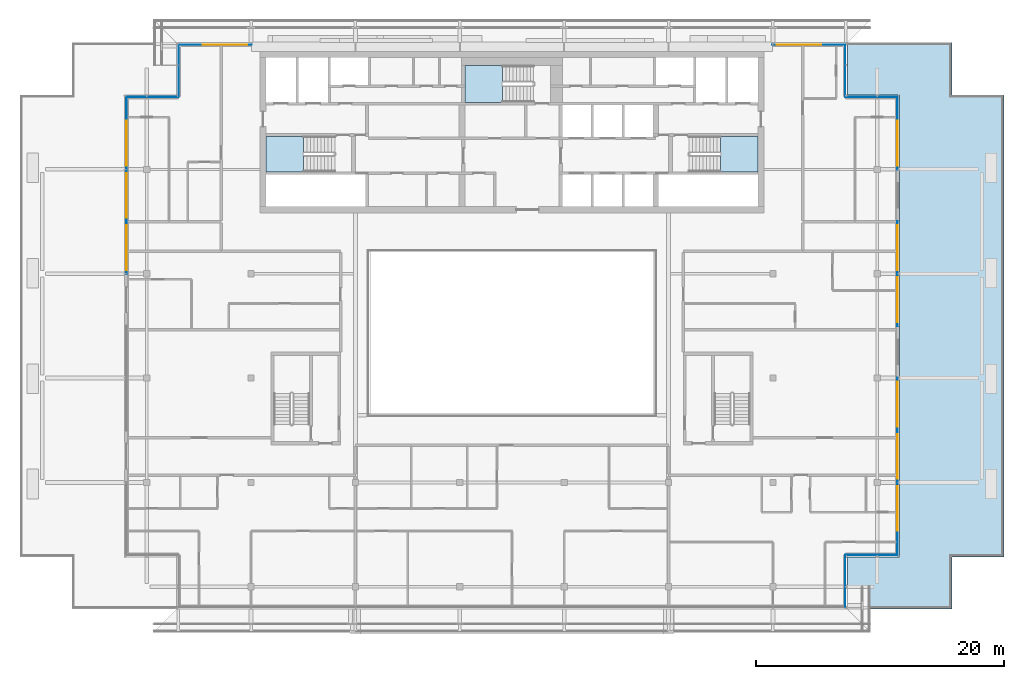
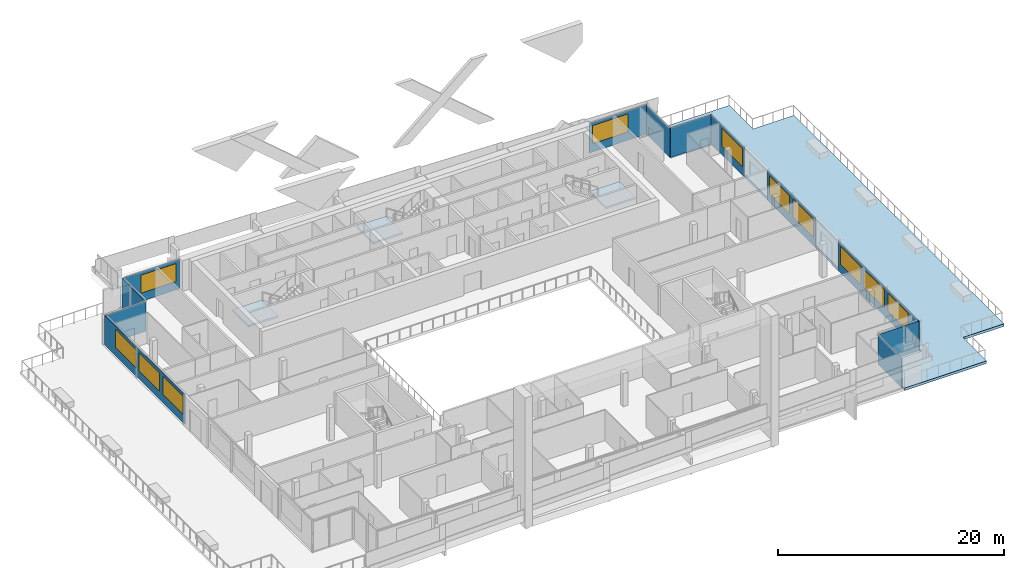
# One storey, part 16 of 29: 12 plates, 11 windows, 4 slabs, 11 openings, 12 elements without a shape of their own.
"""IFC4 building model written with IfcOpenShell, lengths in metres."""

import ifcopenshell
import ifcopenshell.guid

model = None  # the IFC model being written
_history = None  # IfcOwnerHistory: only IFC2X3 demands one
_inside = {}  # id of a spatial element -> (the spatial element, [elements in it])
_under = {}  # id of a project, library or spatial element -> (it, [spatial elements below it])
_declared = {}  # id of a project -> (the project, [libraries it declares])
_typed = {}  # id of a type object -> (the type object, [elements of that type])
_made_of = {}  # id of a material, layer set ... -> (it, [elements and type objects made of it])


def new_model(schema):
    """Start an empty IFC model of exactly this schema.

    Asked for "IFC4X3", IfcOpenShell would pick the latest addendum, in which some entities
    have other attributes; the version numbers below select the first issue.
    IFC2X3 requires an IfcOwnerHistory on every rooted entity: one is made here for all.
    """
    global model, _history
    if schema == "IFC4X3":
        model = ifcopenshell.file(schema_version=(4, 3, 0, 0))
    else:
        model = ifcopenshell.file(schema=schema)
    _inside.clear()
    _under.clear()
    _declared.clear()
    _typed.clear()
    _made_of.clear()
    _history = None
    if model.schema == "IFC2X3":
        org = make("IfcOrganization", Name="unknown")
        user = make(
            "IfcPersonAndOrganization",
            ThePerson=make("IfcPerson", FamilyName="unknown"),
            TheOrganization=org,
        )
        app = make(
            "IfcApplication",
            ApplicationDeveloper=org,
            Version="unknown",
            ApplicationFullName="unknown",
            ApplicationIdentifier="unknown",
        )
        _history = make(
            "IfcOwnerHistory",
            OwningUser=user,
            OwningApplication=app,
            ChangeAction="ADDED",
            CreationDate=0,
        )
    return model


def make(cls, **values):
    """One entity of the class cls with the attributes given. An attribute that is None is left unset."""
    return model.create_entity(
        cls, **{name: value for name, value in values.items() if value is not None}
    )


def rooted(cls, **values):
    """An entity with a GlobalId (a new one), such as an element, a storey or a relation."""
    return make(cls, GlobalId=ifcopenshell.guid.new(), OwnerHistory=_history, **values)


def si_unit(unit_type, name, prefix=None):
    """IfcSIUnit, for example si_unit("LENGTHUNIT", "METRE", prefix="MILLI")."""
    return make("IfcSIUnit", UnitType=unit_type, Prefix=prefix, Name=name)


def assignment(units):
    """IfcUnitAssignment: the units of a project."""
    return None if units is None else make("IfcUnitAssignment", Units=units)


def point(xyz):
    """IfcCartesianPoint."""
    return None if xyz is None else make("IfcCartesianPoint", Coordinates=xyz)


def direction(xyz):
    """IfcDirection."""
    return None if xyz is None else make("IfcDirection", DirectionRatios=xyz)


def frame(location, z_axis=None, x_axis=None):
    """IfcAxis2Placement3D, a coordinate frame: its origin and axes. An axis left out is left unset."""
    return make(
        "IfcAxis2Placement3D",
        Location=point(location),
        Axis=direction(z_axis),
        RefDirection=direction(x_axis),
    )


def frame_2d(location, x_axis=None):
    """IfcAxis2Placement2D, a coordinate frame in the plane: its origin and x axis."""
    return make(
        "IfcAxis2Placement2D", Location=point(location), RefDirection=direction(x_axis)
    )


def origin():
    """The frame at (0, 0, 0) with its axes left unset."""
    return frame((0.0, 0.0, 0.0))


def place(relative_to, where):
    """IfcLocalPlacement: puts the frame where relative to a parent placement (None: the world)."""
    return make(
        "IfcLocalPlacement", PlacementRelTo=relative_to, RelativePlacement=where
    )


def context(
    kind, dimensions, precision=None, world=None, true_north=None, identifier=None
):
    """IfcGeometricRepresentationContext, for example the 3D "Model" context."""
    return make(
        "IfcGeometricRepresentationContext",
        ContextIdentifier=identifier,
        ContextType=kind,
        CoordinateSpaceDimension=dimensions,
        Precision=precision,
        WorldCoordinateSystem=world,
        TrueNorth=true_north,
    )


def subcontext(parent, identifier, kind, view, scale=None):
    """IfcGeometricRepresentationSubContext, for example "Body" below "Model"."""
    return make(
        "IfcGeometricRepresentationSubContext",
        ContextIdentifier=identifier,
        ContextType=kind,
        ParentContext=parent,
        TargetScale=scale,
        TargetView=view,
    )


def project(units=None, contexts=None):
    """IfcProject with its units and contexts."""
    return rooted(
        "IfcProject",
        Name="project",
        RepresentationContexts=contexts,
        UnitsInContext=assignment(units),
    )


def spatial(cls, under=None, at=None, **own):
    """A site, building, storey or space (cls), placed at a placement, below another one or the project."""
    s = rooted(cls, ObjectPlacement=at, **own)
    if under is not None:
        _under.setdefault(under.id(), (under, []))[1].append(s)
    return s


def polyline(points):
    """IfcPolyline through the points."""
    return make("IfcPolyline", Points=[point(p) for p in points])


def profile(cls, at=None, kind="AREA", **sizes):
    """A parametric profile (cls). Its sizes go by their IFC names, for example OverallWidth=200.0."""
    return make(cls, ProfileType=kind, Position=at, **sizes)


def rectangle(**sizes):
    """IfcRectangleProfileDef."""
    return profile("IfcRectangleProfileDef", **sizes)


def outline(outer, holes=None, kind="AREA"):
    """IfcArbitraryClosedProfileDef: a profile drawn as a closed curve; with holes, ...WithVoids."""
    if holes is None:
        return make("IfcArbitraryClosedProfileDef", ProfileType=kind, OuterCurve=outer)
    return make(
        "IfcArbitraryProfileDefWithVoids",
        ProfileType=kind,
        OuterCurve=outer,
        InnerCurves=holes,
    )


def extrude(swept, where, along, depth):
    """IfcExtrudedAreaSolid: the profile swept, set in the frame where, extruded along a direction by depth."""
    return make(
        "IfcExtrudedAreaSolid",
        SweptArea=swept,
        Position=where,
        ExtrudedDirection=direction(along),
        Depth=depth,
    )


def shape(context_of_items, identifier, shape_type, items):
    """IfcShapeRepresentation: the items that make up one representation, for example the "Body"."""
    return make(
        "IfcShapeRepresentation",
        ContextOfItems=context_of_items,
        RepresentationIdentifier=identifier,
        RepresentationType=shape_type,
        Items=items,
    )


def material(Name=None, Category=None):
    """IfcMaterial."""
    return make("IfcMaterial", Name=Name, Category=Category)


def layer(
    of_material, thickness, ventilated=None, Name=None, Category=None, Priority=None
):
    """IfcMaterialLayer: one layer of a wall or slab, of a material (None: an air gap)."""
    return make(
        "IfcMaterialLayer",
        Material=of_material,
        LayerThickness=thickness,
        IsVentilated=ventilated,
        Name=Name,
        Category=Category,
        Priority=Priority,
    )


def layer_set(layers, Name=None):
    """IfcMaterialLayerSet."""
    return make("IfcMaterialLayerSet", MaterialLayers=layers, LayerSetName=Name)


def made_of(thing, what):
    """Note that an element or type object is made of a material, layer set ...; save() writes the relation."""
    if what is not None:
        _made_of.setdefault(what.id(), (what, []))[1].append(thing)
    return thing


def type_object(cls, material=None, **own):
    """A type object (cls), such as IfcWallType, which elements share."""
    return made_of(rooted(cls, **own), material)


def element(
    cls,
    number,
    at=None,
    inside=None,
    cuts=None,
    type_object=None,
    material=None,
    context=None,
    identifier="Body",
    shape_type=None,
    held_by="IfcProductDefinitionShape",
    body=None,
    shapes=None,
    **own,
):
    """One element of the class cls, such as IfcWall. Its Tag is "e" and its number.

    at: its placement. inside: the storey or other place that contains it. cuts: it is an
    opening in that element (IfcRelVoidsElement). A single representation is given by context,
    identifier, shape_type and body (its items); several are given by shapes. held_by: the class
    of the entity that holds the representations. save() writes the other relations.
    """
    e = rooted(cls, Tag="e%d" % number, ObjectPlacement=at, **own)
    if body is not None:
        shapes = [shape(context, identifier, shape_type, body)]
    if shapes is not None:
        e.Representation = make(held_by, Representations=shapes)
    if inside is not None:
        _inside.setdefault(inside.id(), (inside, []))[1].append(e)
    if cuts is not None:
        rooted(
            "IfcRelVoidsElement", RelatingBuildingElement=cuts, RelatedOpeningElement=e
        )
    if type_object is not None:
        _typed.setdefault(type_object.id(), (type_object, []))[1].append(e)
    return made_of(e, material)


def fill(opening, filler):
    """IfcRelFillsElement: the door or window that sits in an opening."""
    return rooted(
        "IfcRelFillsElement",
        RelatingOpeningElement=opening,
        RelatedBuildingElement=filler,
    )


def aggregate(whole, parts):
    """IfcRelAggregates: a whole, such as a stair, and the parts it consists of."""
    return rooted("IfcRelAggregates", RelatingObject=whole, RelatedObjects=parts)


def save(model, path):
    """Write the relations noted so far, then the file.

    IfcRelAggregates (storeys below a building ...), IfcRelContainedInSpatialStructure (elements
    in a storey), IfcRelDefinesByType, IfcRelAssociatesMaterial and IfcRelDeclares: one each for
    every whole, place, type object, material and project.
    """
    for whole, parts in _under.values():
        aggregate(whole, parts)
    for where, things in _inside.values():
        rooted(
            "IfcRelContainedInSpatialStructure",
            RelatedElements=things,
            RelatingStructure=where,
        )
    for kind, things in _typed.values():
        rooted("IfcRelDefinesByType", RelatedObjects=things, RelatingType=kind)
    for what, things in _made_of.values():
        rooted("IfcRelAssociatesMaterial", RelatedObjects=things, RelatingMaterial=what)
    for by, libraries in _declared.values():
        rooted("IfcRelDeclares", RelatingContext=by, RelatedDefinitions=libraries)
    model.write(path)


model = new_model("IFC4")

# Units and contexts
model_context = context("Model", 3, precision=1e-05, world=origin(), true_north=direction((0.0, 1.0)))
body_context = subcontext(model_context, "Body", "Model", "MODEL_VIEW")
ifc_project = project(units=[si_unit("LENGTHUNIT", "METRE"), si_unit("AREAUNIT", "SQUARE_METRE"), si_unit("VOLUMEUNIT", "CUBIC_METRE"), si_unit("PLANEANGLEUNIT", "RADIAN"), si_unit("MASSUNIT", "GRAM", prefix="KILO")], contexts=[model_context])

# Site, building, storey
site_placement = place(None, origin())
site = spatial("IfcSite", under=ifc_project, at=site_placement, CompositionType="ELEMENT")
building_placement = place(site_placement, origin())
building = spatial("IfcBuilding", under=site, at=building_placement, Name="Saffron Gate Tower", CompositionType="ELEMENT")
storey_placement = place(building_placement, frame((0.0, 0.0, 270.75)))
storey = spatial("IfcBuildingStorey", under=building, at=storey_placement, Name="L65", CompositionType="ELEMENT", Elevation=270.75)

# Curtain wall, plates, openings, windows
ifc_material_1 = material(Name="Aluminium, bronze anodised", Category="aluminium")
curtain_wall_type_1 = type_object("IfcCurtainWallType", Name="CWS2 curtain wall side facades", PredefinedType="NOTDEFINED", material=ifc_material_1)
curtain_wall_1_placement = place(storey_placement, origin())
curtain_wall_1 = element("IfcCurtainWall", 1, at=curtain_wall_1_placement, inside=storey, type_object=curtain_wall_type_1, Name="CWS2 run 4", PredefinedType="NOTDEFINED")
ifc_material_2 = material(Name="Fritted bronze-tinted laminated glass", Category="glass")
ifc_layer_1 = layer(ifc_material_2, 0.028076171875)
ifc_layer_set_1 = layer_set([ifc_layer_1], Name="CWS2 fixed glass")
plate_type_1 = type_object("IfcPlateType", Name="CWS2 fixed glass", PredefinedType="CURTAIN_PANEL", material=ifc_layer_set_1)
plate_1_placement = place(storey_placement, frame((118.6259765625, 34.387939453125, 0.0), z_axis=(0.0, 0.0, 1.0), x_axis=(0.0, 1.0, 0.0)))
plate_1 = element("IfcPlate", 2, at=plate_1_placement, type_object=plate_type_1, Name="CWS2 glass panel", PredefinedType="CURTAIN_PANEL", context=body_context, shape_type="SweptSolid", body=[
    extrude(rectangle(XDim=14.241943359375, YDim=0.028076171875, at=frame_2d((7.12109375, 0.0))), origin(), (0.0, 0.0, 1.0), 3.199951171875),
])
opening_1_placement = place(plate_1_placement, frame((1.912109375, 0.0, 0.89990234375)))
opening_1 = element("IfcOpeningElement", 3, at=opening_1_placement, cuts=plate_1, Name="Opening W1", PredefinedType="OPENING", context=body_context, shape_type="SweptSolid", body=[
    extrude(rectangle(XDim=3.60009765625, YDim=1.949951171875, at=frame_2d((1.800048828125, 0.97509765625))), frame((0.0, 0.02392578125, 0.0), z_axis=(0.0, -1.0, 0.0), x_axis=(1.0, 0.0, 0.0)), (0.0, 0.0, 1.0), 0.048095703125),
])
opening_2_placement = place(plate_1_placement, frame((6.112060546875, 0.0, 0.89990234375)))
opening_2 = element("IfcOpeningElement", 4, at=opening_2_placement, cuts=plate_1, Name="Opening W1", PredefinedType="OPENING", context=body_context, shape_type="SweptSolid", body=[
    extrude(rectangle(XDim=3.60009765625, YDim=1.949951171875, at=frame_2d((1.800048828125, 0.97509765625))), frame((0.0, 0.02392578125, 0.0), z_axis=(0.0, -1.0, 0.0), x_axis=(1.0, 0.0, 0.0)), (0.0, 0.0, 1.0), 0.048095703125),
])
opening_3_placement = place(plate_1_placement, frame((10.31201171875, 0.0, 0.89990234375)))
opening_3 = element("IfcOpeningElement", 5, at=opening_3_placement, cuts=plate_1, Name="Opening W1", PredefinedType="OPENING", context=body_context, shape_type="SweptSolid", body=[
    extrude(rectangle(XDim=3.60009765625, YDim=1.949951171875, at=frame_2d((1.800048828125, 0.97509765625))), frame((0.0, 0.02392578125, 0.0), z_axis=(0.0, -1.0, 0.0), x_axis=(1.0, 0.0, 0.0)), (0.0, 0.0, 1.0), 0.048095703125),
])
ifc_material_3 = material(Name="Fritted bronze-tinted laminated glass in bronze frame", Category="glass")
ifc_layer_2 = layer(ifc_material_3, 0.06005859375)
ifc_layer_set_2 = layer_set([ifc_layer_2], Name="W1 operable panel 3600x1950")
window_type = type_object("IfcWindowType", Name="W1 operable panel 3600x1950", PartitioningType="DOUBLE_PANEL_HORIZONTAL", PredefinedType="WINDOW", material=ifc_layer_set_2)
window_1_placement = place(opening_1_placement, origin())
window_1 = element("IfcWindow", 6, at=window_1_placement, type_object=window_type, Name="W1 operable panel", OverallHeight=1.949951171875, OverallWidth=3.60009765625, PartitioningType="SINGLE_PANEL", PredefinedType="WINDOW", context=body_context, shape_type="SweptSolid", body=[
    extrude(rectangle(XDim=3.60009765625, YDim=1.949951171875, at=frame_2d((1.800048828125, 0.97509765625))), frame((0.0, 0.013671875, 0.0), z_axis=(0.0, -1.0, 0.0), x_axis=(1.0, 0.0, 0.0)), (0.0, 0.0, 1.0), 0.027587890625),
])
fill(opening_1, window_1)
window_2_placement = place(opening_2_placement, origin())
window_2 = element("IfcWindow", 7, at=window_2_placement, type_object=window_type, Name="W1 operable panel", OverallHeight=1.949951171875, OverallWidth=3.60009765625, PartitioningType="SINGLE_PANEL", PredefinedType="WINDOW", context=body_context, shape_type="SweptSolid", body=[
    extrude(rectangle(XDim=3.60009765625, YDim=1.949951171875, at=frame_2d((1.800048828125, 0.97509765625))), frame((0.0, 0.013671875, 0.0), z_axis=(0.0, -1.0, 0.0), x_axis=(1.0, 0.0, 0.0)), (0.0, 0.0, 1.0), 0.027587890625),
])
fill(opening_2, window_2)
window_3_placement = place(opening_3_placement, origin())
window_3 = element("IfcWindow", 8, at=window_3_placement, type_object=window_type, Name="W1 operable panel", OverallHeight=1.949951171875, OverallWidth=3.60009765625, PartitioningType="SINGLE_PANEL", PredefinedType="WINDOW", context=body_context, shape_type="SweptSolid", body=[
    extrude(rectangle(XDim=3.60009765625, YDim=1.949951171875, at=frame_2d((1.800048828125, 0.97509765625))), frame((0.0, 0.013671875, 0.0), z_axis=(0.0, -1.0, 0.0), x_axis=(1.0, 0.0, 0.0)), (0.0, 0.0, 1.0), 0.027587890625),
])
fill(opening_3, window_3)
plate_2_placement = place(storey_placement, frame((118.6259765625, 52.77001953125, 0.0), z_axis=(0.0, 0.0, 1.0), x_axis=(0.0, 1.0, 0.0)))
plate_2 = element("IfcPlate", 9, at=plate_2_placement, type_object=plate_type_1, Name="CWS2 glass panel", PredefinedType="CURTAIN_PANEL", context=body_context, shape_type="SweptSolid", body=[
    extrude(rectangle(XDim=8.4599609375, YDim=0.028076171875, at=frame_2d((4.22998046875, 0.0))), origin(), (0.0, 0.0, 1.0), 3.199951171875),
])
opening_4_placement = place(plate_2_placement, frame((0.330078125, 0.0, 0.89990234375)))
opening_4 = element("IfcOpeningElement", 10, at=opening_4_placement, cuts=plate_2, Name="Opening W1", PredefinedType="OPENING", context=body_context, shape_type="SweptSolid", body=[
    extrude(rectangle(XDim=3.60009765625, YDim=1.949951171875, at=frame_2d((1.800048828125, 0.97509765625))), frame((0.0, 0.02392578125, 0.0), z_axis=(0.0, -1.0, 0.0), x_axis=(1.0, 0.0, 0.0)), (0.0, 0.0, 1.0), 0.048095703125),
])
opening_5_placement = place(plate_2_placement, frame((4.530029296875, 0.0, 0.89990234375)))
opening_5 = element("IfcOpeningElement", 11, at=opening_5_placement, cuts=plate_2, Name="Opening W1", PredefinedType="OPENING", context=body_context, shape_type="SweptSolid", body=[
    extrude(rectangle(XDim=3.60009765625, YDim=1.949951171875, at=frame_2d((1.800048828125, 0.97509765625))), frame((0.0, 0.02392578125, 0.0), z_axis=(0.0, -1.0, 0.0), x_axis=(1.0, 0.0, 0.0)), (0.0, 0.0, 1.0), 0.048095703125),
])
window_4_placement = place(opening_4_placement, origin())
window_4 = element("IfcWindow", 12, at=window_4_placement, type_object=window_type, Name="W1 operable panel", OverallHeight=1.949951171875, OverallWidth=3.60009765625, PartitioningType="SINGLE_PANEL", PredefinedType="WINDOW", context=body_context, shape_type="SweptSolid", body=[
    extrude(rectangle(XDim=3.60009765625, YDim=1.949951171875, at=frame_2d((1.800048828125, 0.97509765625))), frame((0.0, 0.013671875, 0.0), z_axis=(0.0, -1.0, 0.0), x_axis=(1.0, 0.0, 0.0)), (0.0, 0.0, 1.0), 0.027587890625),
])
fill(opening_4, window_4)
window_5_placement = place(opening_5_placement, origin())
window_5 = element("IfcWindow", 13, at=window_5_placement, type_object=window_type, Name="W1 operable panel", OverallHeight=1.949951171875, OverallWidth=3.60009765625, PartitioningType="SINGLE_PANEL", PredefinedType="WINDOW", context=body_context, shape_type="SweptSolid", body=[
    extrude(rectangle(XDim=3.60009765625, YDim=1.949951171875, at=frame_2d((1.800048828125, 0.97509765625))), frame((0.0, 0.013671875, 0.0), z_axis=(0.0, -1.0, 0.0), x_axis=(1.0, 0.0, 0.0)), (0.0, 0.0, 1.0), 0.027587890625),
])
fill(opening_5, window_5)
plate_3_placement = place(storey_placement, frame((118.6259765625, 65.3701171875, 0.0), z_axis=(0.0, 0.0, 1.0), x_axis=(0.0, 1.0, 0.0)))
plate_3 = element("IfcPlate", 14, at=plate_3_placement, type_object=plate_type_1, Name="CWS2 glass panel", PredefinedType="CURTAIN_PANEL", context=body_context, shape_type="SweptSolid", body=[
    extrude(rectangle(XDim=5.841796875, YDim=0.028076171875, at=frame_2d((2.9208984375, 0.0))), origin(), (0.0, 0.0, 1.0), 3.199951171875),
])
opening_6_placement = place(plate_3_placement, frame((0.330078125, 0.0, 0.89990234375)))
opening_6 = element("IfcOpeningElement", 15, at=opening_6_placement, cuts=plate_3, Name="Opening W1", PredefinedType="OPENING", context=body_context, shape_type="SweptSolid", body=[
    extrude(rectangle(XDim=3.60009765625, YDim=1.949951171875, at=frame_2d((1.800048828125, 0.97509765625))), frame((0.0, 0.02392578125, 0.0), z_axis=(0.0, -1.0, 0.0), x_axis=(1.0, 0.0, 0.0)), (0.0, 0.0, 1.0), 0.048095703125),
])
window_6_placement = place(opening_6_placement, origin())
window_6 = element("IfcWindow", 16, at=window_6_placement, type_object=window_type, Name="W1 operable panel", OverallHeight=1.949951171875, OverallWidth=3.60009765625, PartitioningType="SINGLE_PANEL", PredefinedType="WINDOW", context=body_context, shape_type="SweptSolid", body=[
    extrude(rectangle(XDim=3.60009765625, YDim=1.949951171875, at=frame_2d((1.800048828125, 0.97509765625))), frame((0.0, 0.013671875, 0.0), z_axis=(0.0, -1.0, 0.0), x_axis=(1.0, 0.0, 0.0)), (0.0, 0.0, 1.0), 0.027587890625),
])
fill(opening_6, window_6)
aggregate(curtain_wall_1, [plate_1, plate_2, plate_3, window_1, window_2, window_3, window_4, window_5, window_6])

# Curtain wall, plate, openings, windows
curtain_wall_2_placement = place(storey_placement, origin())
curtain_wall_2 = element("IfcCurtainWall", 17, at=curtain_wall_2_placement, inside=storey, type_object=curtain_wall_type_1, Name="CWS2 run 10", PredefinedType="NOTDEFINED")
plate_4_placement = place(storey_placement, frame((56.573974609375, 71.2119140625, 0.0), z_axis=(0.0, 0.0, 1.0), x_axis=(0.0, -1.0, 0.0)))
plate_4 = element("IfcPlate", 18, at=plate_4_placement, type_object=plate_type_1, Name="CWS2 glass panel", PredefinedType="CURTAIN_PANEL", context=body_context, shape_type="SweptSolid", body=[
    extrude(rectangle(XDim=14.241943359375, YDim=0.028076171875, at=frame_2d((7.12109375, 0.0))), origin(), (0.0, 0.0, 1.0), 3.199951171875),
])
opening_7_placement = place(plate_4_placement, frame((1.912109375, 0.0, 0.89990234375)))
opening_7 = element("IfcOpeningElement", 19, at=opening_7_placement, cuts=plate_4, Name="Opening W1", PredefinedType="OPENING", context=body_context, shape_type="SweptSolid", body=[
    extrude(rectangle(XDim=3.60009765625, YDim=1.949951171875, at=frame_2d((1.800048828125, 0.97509765625))), frame((0.0, 0.02392578125, 0.0), z_axis=(0.0, -1.0, 0.0), x_axis=(1.0, 0.0, 0.0)), (0.0, 0.0, 1.0), 0.048095703125),
])
opening_8_placement = place(plate_4_placement, frame((6.112060546875, 0.0, 0.89990234375)))
opening_8 = element("IfcOpeningElement", 20, at=opening_8_placement, cuts=plate_4, Name="Opening W1", PredefinedType="OPENING", context=body_context, shape_type="SweptSolid", body=[
    extrude(rectangle(XDim=3.60009765625, YDim=1.949951171875, at=frame_2d((1.800048828125, 0.97509765625))), frame((0.0, 0.02392578125, 0.0), z_axis=(0.0, -1.0, 0.0), x_axis=(1.0, 0.0, 0.0)), (0.0, 0.0, 1.0), 0.048095703125),
])
opening_9_placement = place(plate_4_placement, frame((10.31201171875, 0.0, 0.89990234375)))
opening_9 = element("IfcOpeningElement", 21, at=opening_9_placement, cuts=plate_4, Name="Opening W1", PredefinedType="OPENING", context=body_context, shape_type="SweptSolid", body=[
    extrude(rectangle(XDim=3.60009765625, YDim=1.949951171875, at=frame_2d((1.800048828125, 0.97509765625))), frame((0.0, 0.02392578125, 0.0), z_axis=(0.0, -1.0, 0.0), x_axis=(1.0, 0.0, 0.0)), (0.0, 0.0, 1.0), 0.048095703125),
])
window_7_placement = place(opening_7_placement, origin())
window_7 = element("IfcWindow", 22, at=window_7_placement, type_object=window_type, Name="W1 operable panel", OverallHeight=1.949951171875, OverallWidth=3.60009765625, PartitioningType="SINGLE_PANEL", PredefinedType="WINDOW", context=body_context, shape_type="SweptSolid", body=[
    extrude(rectangle(XDim=3.60009765625, YDim=1.949951171875, at=frame_2d((1.800048828125, 0.97509765625))), frame((0.0, 0.013671875, 0.0), z_axis=(0.0, -1.0, 0.0), x_axis=(1.0, 0.0, 0.0)), (0.0, 0.0, 1.0), 0.027587890625),
])
fill(opening_7, window_7)
window_8_placement = place(opening_8_placement, origin())
window_8 = element("IfcWindow", 23, at=window_8_placement, type_object=window_type, Name="W1 operable panel", OverallHeight=1.949951171875, OverallWidth=3.60009765625, PartitioningType="SINGLE_PANEL", PredefinedType="WINDOW", context=body_context, shape_type="SweptSolid", body=[
    extrude(rectangle(XDim=3.60009765625, YDim=1.949951171875, at=frame_2d((1.800048828125, 0.97509765625))), frame((0.0, 0.013671875, 0.0), z_axis=(0.0, -1.0, 0.0), x_axis=(1.0, 0.0, 0.0)), (0.0, 0.0, 1.0), 0.027587890625),
])
fill(opening_8, window_8)
window_9_placement = place(opening_9_placement, origin())
window_9 = element("IfcWindow", 24, at=window_9_placement, type_object=window_type, Name="W1 operable panel", OverallHeight=1.949951171875, OverallWidth=3.60009765625, PartitioningType="SINGLE_PANEL", PredefinedType="WINDOW", context=body_context, shape_type="SweptSolid", body=[
    extrude(rectangle(XDim=3.60009765625, YDim=1.949951171875, at=frame_2d((1.800048828125, 0.97509765625))), frame((0.0, 0.013671875, 0.0), z_axis=(0.0, -1.0, 0.0), x_axis=(1.0, 0.0, 0.0)), (0.0, 0.0, 1.0), 0.027587890625),
])
fill(opening_9, window_9)
aggregate(curtain_wall_2, [plate_4, window_7, window_8, window_9])

# Curtain wall, plates, openings, windows
curtain_wall_type_2 = type_object("IfcCurtainWallType", Name="CWS3 curtain wall rear facade", PredefinedType="NOTDEFINED", material=ifc_material_1)
curtain_wall_3_placement = place(storey_placement, origin())
curtain_wall_3 = element("IfcCurtainWall", 25, at=curtain_wall_3_placement, inside=storey, type_object=curtain_wall_type_2, Name="CWS3 run 7", PredefinedType="NOTDEFINED")
ifc_material_4 = material(Name="Fritted grey-tinted laminated glass", Category="glass")
ifc_layer_3 = layer(ifc_material_4, 0.028076171875)
ifc_layer_set_3 = layer_set([ifc_layer_3], Name="CWS3 fixed glass")
plate_type_2 = type_object("IfcPlateType", Name="CWS3 fixed glass", PredefinedType="CURTAIN_PANEL", material=ifc_layer_set_3)
plate_5_placement = place(storey_placement, frame((114.412109375, 75.426025390625, 0.0), z_axis=(0.0, 0.0, 1.0), x_axis=(-1.0, 0.0, 0.0)))
plate_5 = element("IfcPlate", 26, at=plate_5_placement, type_object=plate_type_2, Name="CWS3 glass panel", PredefinedType="CURTAIN_PANEL", context=body_context, shape_type="SweptSolid", body=[
    extrude(rectangle(XDim=5.84716796875, YDim=0.028076171875, at=frame_2d((2.923583984375, 0.0))), origin(), (0.0, 0.0, 1.0), 3.199951171875),
])
opening_10_placement = place(plate_5_placement, frame((1.912109375, 0.0, 0.89990234375)))
opening_10 = element("IfcOpeningElement", 27, at=opening_10_placement, cuts=plate_5, Name="Opening W1", PredefinedType="OPENING", context=body_context, shape_type="SweptSolid", body=[
    extrude(rectangle(XDim=3.60009765625, YDim=1.949951171875, at=frame_2d((1.800048828125, 0.97509765625))), frame((0.0, 0.02392578125, 0.0), z_axis=(0.0, -1.0, 0.0), x_axis=(1.0, 0.0, 0.0)), (0.0, 0.0, 1.0), 0.048095703125),
])
window_10_placement = place(opening_10_placement, origin())
window_10 = element("IfcWindow", 28, at=window_10_placement, type_object=window_type, Name="W1 operable panel", OverallHeight=1.949951171875, OverallWidth=3.60009765625, PartitioningType="SINGLE_PANEL", PredefinedType="WINDOW", context=body_context, shape_type="SweptSolid", body=[
    extrude(rectangle(XDim=3.60009765625, YDim=1.949951171875, at=frame_2d((1.800048828125, 0.97509765625))), frame((0.0, 0.013671875, 0.0), z_axis=(0.0, -1.0, 0.0), x_axis=(1.0, 0.0, 0.0)), (0.0, 0.0, 1.0), 0.027587890625),
])
fill(opening_10, window_10)
plate_6_placement = place(storey_placement, frame((66.635009765625, 75.426025390625, 0.0), z_axis=(0.0, 0.0, 1.0), x_axis=(-1.0, 0.0, 0.0)))
plate_6 = element("IfcPlate", 29, at=plate_6_placement, type_object=plate_type_2, Name="CWS3 glass panel", PredefinedType="CURTAIN_PANEL", context=body_context, shape_type="SweptSolid", body=[
    extrude(rectangle(XDim=5.846923828125, YDim=0.028076171875, at=frame_2d((2.92333984375, 0.0))), origin(), (0.0, 0.0, 1.0), 3.199951171875),
])
opening_11_placement = place(plate_6_placement, frame((0.3349609375, 0.0, 0.89990234375)))
opening_11 = element("IfcOpeningElement", 30, at=opening_11_placement, cuts=plate_6, Name="Opening W1", PredefinedType="OPENING", context=body_context, shape_type="SweptSolid", body=[
    extrude(rectangle(XDim=3.60009765625, YDim=1.949951171875, at=frame_2d((1.800048828125, 0.97509765625))), frame((0.0, 0.02392578125, 0.0), z_axis=(0.0, -1.0, 0.0), x_axis=(1.0, 0.0, 0.0)), (0.0, 0.0, 1.0), 0.048095703125),
])
window_11_placement = place(opening_11_placement, origin())
window_11 = element("IfcWindow", 31, at=window_11_placement, type_object=window_type, Name="W1 operable panel", OverallHeight=1.949951171875, OverallWidth=3.60009765625, PartitioningType="SINGLE_PANEL", PredefinedType="WINDOW", context=body_context, shape_type="SweptSolid", body=[
    extrude(rectangle(XDim=3.60009765625, YDim=1.949951171875, at=frame_2d((1.800048828125, 0.97509765625))), frame((0.0, 0.013671875, 0.0), z_axis=(0.0, -1.0, 0.0), x_axis=(1.0, 0.0, 0.0)), (0.0, 0.0, 1.0), 0.027587890625),
])
fill(opening_11, window_11)
aggregate(curtain_wall_3, [plate_5, plate_6, window_10, window_11])

# Curtain wall, plate
curtain_wall_type_3 = type_object("IfcCurtainWallType", Name="CWS4 curtain wall corner returns", PredefinedType="NOTDEFINED", material=ifc_material_1)
curtain_wall_4_placement = place(storey_placement, origin())
curtain_wall_4 = element("IfcCurtainWall", 32, at=curtain_wall_4_placement, inside=storey, type_object=curtain_wall_type_3, Name="CWS4 run 2", PredefinedType="NOTDEFINED")
ifc_layer_4 = layer(ifc_material_2, 0.028076171875)
ifc_layer_set_4 = layer_set([ifc_layer_4], Name="CWS4 fixed glass")
plate_type_3 = type_object("IfcPlateType", Name="CWS4 fixed glass", PredefinedType="CURTAIN_PANEL", material=ifc_layer_set_4)
plate_7_placement = place(storey_placement, frame((114.426025390625, 30.18798828125, 0.0), z_axis=(0.0, 0.0, 1.0), x_axis=(0.0, 1.0, 0.0)))
plate_7 = element("IfcPlate", 33, at=plate_7_placement, type_object=plate_type_3, Name="CWS4 glass panel", PredefinedType="CURTAIN_PANEL", context=body_context, shape_type="SweptSolid", body=[
    extrude(rectangle(XDim=4.172119140625, YDim=0.028076171875, at=frame_2d((2.0859375, 0.0))), origin(), (0.0, 0.0, 1.0), 3.199951171875),
])
aggregate(curtain_wall_4, [plate_7])

curtain_wall_5_placement = place(storey_placement, origin())
curtain_wall_5 = element("IfcCurtainWall", 34, at=curtain_wall_5_placement, inside=storey, type_object=curtain_wall_type_3, Name="CWS4 run 3", PredefinedType="NOTDEFINED")
plate_8_placement = place(storey_placement, frame((114.43994140625, 34.3740234375, 0.0), z_axis=(0.0, 0.0, 1.0), x_axis=(1.0, 0.0, 0.0)))
plate_8 = element("IfcPlate", 35, at=plate_8_placement, type_object=plate_type_3, Name="CWS4 glass panel", PredefinedType="CURTAIN_PANEL", context=body_context, shape_type="SweptSolid", body=[
    extrude(rectangle(XDim=4.172119140625, YDim=0.028076171875, at=frame_2d((2.0859375, 0.0))), origin(), (0.0, 0.0, 1.0), 3.199951171875),
])
aggregate(curtain_wall_5, [plate_8])

curtain_wall_6_placement = place(storey_placement, origin())
curtain_wall_6 = element("IfcCurtainWall", 36, at=curtain_wall_6_placement, inside=storey, type_object=curtain_wall_type_3, Name="CWS4 run 5", PredefinedType="NOTDEFINED")
plate_9_placement = place(storey_placement, frame((118.612060546875, 71.22607421875, 0.0), z_axis=(0.0, 0.0, 1.0), x_axis=(-1.0, 0.0, 0.0)))
plate_9 = element("IfcPlate", 37, at=plate_9_placement, type_object=plate_type_3, Name="CWS4 glass panel", PredefinedType="CURTAIN_PANEL", context=body_context, shape_type="SweptSolid", body=[
    extrude(rectangle(XDim=4.172119140625, YDim=0.028076171875, at=frame_2d((2.0859375, 0.0))), origin(), (0.0, 0.0, 1.0), 3.199951171875),
])
aggregate(curtain_wall_6, [plate_9])

curtain_wall_7_placement = place(storey_placement, origin())
curtain_wall_7 = element("IfcCurtainWall", 38, at=curtain_wall_7_placement, inside=storey, type_object=curtain_wall_type_3, Name="CWS4 run 6", PredefinedType="NOTDEFINED")
plate_10_placement = place(storey_placement, frame((114.426025390625, 71.239990234375, 0.0), z_axis=(0.0, 0.0, 1.0), x_axis=(0.0, 1.0, 0.0)))
plate_10 = element("IfcPlate", 39, at=plate_10_placement, type_object=plate_type_3, Name="CWS4 glass panel", PredefinedType="CURTAIN_PANEL", context=body_context, shape_type="SweptSolid", body=[
    extrude(rectangle(XDim=4.172119140625, YDim=0.028076171875, at=frame_2d((2.0859375, 0.0))), origin(), (0.0, 0.0, 1.0), 3.199951171875),
])
aggregate(curtain_wall_7, [plate_10])

curtain_wall_8_placement = place(storey_placement, origin())
curtain_wall_8 = element("IfcCurtainWall", 40, at=curtain_wall_8_placement, inside=storey, type_object=curtain_wall_type_3, Name="CWS4 run 8", PredefinedType="NOTDEFINED")
plate_11_placement = place(storey_placement, frame((60.77392578125, 75.412109375, 0.0), z_axis=(0.0, 0.0, 1.0), x_axis=(0.0, -1.0, 0.0)))
plate_11 = element("IfcPlate", 41, at=plate_11_placement, type_object=plate_type_3, Name="CWS4 glass panel", PredefinedType="CURTAIN_PANEL", context=body_context, shape_type="SweptSolid", body=[
    extrude(rectangle(XDim=4.172119140625, YDim=0.028076171875, at=frame_2d((2.0859375, 0.0))), origin(), (0.0, 0.0, 1.0), 3.199951171875),
])
aggregate(curtain_wall_8, [plate_11])

curtain_wall_9_placement = place(storey_placement, origin())
curtain_wall_9 = element("IfcCurtainWall", 42, at=curtain_wall_9_placement, inside=storey, type_object=curtain_wall_type_3, Name="CWS4 run 9", PredefinedType="NOTDEFINED")
plate_12_placement = place(storey_placement, frame((60.760009765625, 71.22607421875, 0.0), z_axis=(0.0, 0.0, 1.0), x_axis=(-1.0, 0.0, 0.0)))
plate_12 = element("IfcPlate", 43, at=plate_12_placement, type_object=plate_type_3, Name="CWS4 glass panel", PredefinedType="CURTAIN_PANEL", context=body_context, shape_type="SweptSolid", body=[
    extrude(rectangle(XDim=4.172119140625, YDim=0.028076171875, at=frame_2d((2.0859375, 0.0))), origin(), (0.0, 0.0, 1.0), 3.199951171875),
])
aggregate(curtain_wall_9, [plate_12])

# Slab
ifc_material_5 = material(Name="Concrete C40", Category="concrete")
ifc_layer_5 = layer(ifc_material_5, 0.280029296875)
ifc_layer_set_5 = layer_set([ifc_layer_5], Name="S4 ROOF SLAB 280 CONCRETE C40")
slab_type_1 = type_object("IfcSlabType", Name="S4 ROOF SLAB 280 CONCRETE C40", PredefinedType="ROOF", material=ifc_layer_set_5)
slab_1_placement = place(storey_placement, frame((0.0, 0.0, -0.280029296875)))
element("IfcSlab", 44, at=slab_1_placement, inside=storey, type_object=slab_type_1, Name="S4 TERRACE SLAB", PredefinedType="ROOF", context=body_context, shape_type="SweptSolid", body=[
    extrude(outline(polyline([(114.60009765625, 30.0), (123.0, 30.0), (123.0, 34.199951171875), (127.199951171875, 34.199951171875), (127.199951171875, 71.39990234375), (123.0, 71.39990234375), (123.0, 75.60009765625), (114.60009765625, 75.60009765625), (114.60009765625, 71.39990234375), (118.800048828125, 71.39990234375), (118.800048828125, 34.199951171875), (114.60009765625, 34.199951171875), (114.60009765625, 30.0)])), origin(), (0.0, 0.0, 1.0), 0.280029296875),
])

# Stair, slab
stair_type = type_object("IfcStairType", Name="ST7 Stair 1350 wide, 20 risers of 180", PredefinedType="HALF_TURN_STAIR", material=ifc_material_5)
stair_1_placement = place(storey_placement, origin())
stair_1 = element("IfcStair", 45, at=stair_1_placement, inside=storey, type_object=stair_type, Name="L65 Exit stair A", PredefinedType="HALF_TURN_STAIR")
ifc_layer_6 = layer(ifc_material_5, 0.199951171875)
ifc_layer_set_6 = layer_set([ifc_layer_6], Name="SL1 Stair landing 200")
slab_type_2 = type_object("IfcSlabType", Name="SL1 Stair landing 200", PredefinedType="LANDING", material=ifc_layer_set_6)
slab_2_placement = place(storey_placement, frame((0.0, 0.0, 1.60009765625)))
slab_2 = element("IfcSlab", 46, at=slab_2_placement, type_object=slab_type_2, Name="ST-A landing 1", PredefinedType="LANDING", context=body_context, shape_type="SweptSolid", body=[
    extrude(outline(polyline([(70.830078125, 68.050048828125), (67.800048828125, 68.050048828125), (67.800048828125, 65.199951171875), (70.830078125, 65.199951171875), (70.830078125, 68.050048828125)])), origin(), (0.0, 0.0, 1.0), 0.199951171875),
])
aggregate(stair_1, [slab_2])

stair_2_placement = place(storey_placement, origin())
stair_2 = element("IfcStair", 47, at=stair_2_placement, inside=storey, type_object=stair_type, Name="L65 Exit stair B", PredefinedType="HALF_TURN_STAIR")
slab_3_placement = place(storey_placement, frame((0.0, 0.0, 1.60009765625)))
slab_3 = element("IfcSlab", 48, at=slab_3_placement, type_object=slab_type_2, Name="ST-B landing 1", PredefinedType="LANDING", context=body_context, shape_type="SweptSolid", body=[
    extrude(outline(polyline([(104.3701171875, 65.199951171875), (107.39990234375, 65.199951171875), (107.39990234375, 68.050048828125), (104.3701171875, 68.050048828125), (104.3701171875, 65.199951171875)])), origin(), (0.0, 0.0, 1.0), 0.199951171875),
])
aggregate(stair_2, [slab_3])

stair_3_placement = place(storey_placement, origin())
stair_3 = element("IfcStair", 49, at=stair_3_placement, inside=storey, type_object=stair_type, Name="L65 Exit stair C", PredefinedType="HALF_TURN_STAIR")
slab_4_placement = place(storey_placement, frame((0.0, 0.0, 1.60009765625)))
slab_4 = element("IfcSlab", 50, at=slab_4_placement, type_object=slab_type_2, Name="ST-C landing 1", PredefinedType="LANDING", context=body_context, shape_type="SweptSolid", body=[
    extrude(outline(polyline([(86.830078125, 73.75), (83.800048828125, 73.75), (83.800048828125, 70.800048828125), (86.830078125, 70.800048828125), (86.830078125, 73.75)])), origin(), (0.0, 0.0, 1.0), 0.199951171875),
])
aggregate(stair_3, [slab_4])

save(model, "model.ifc")
